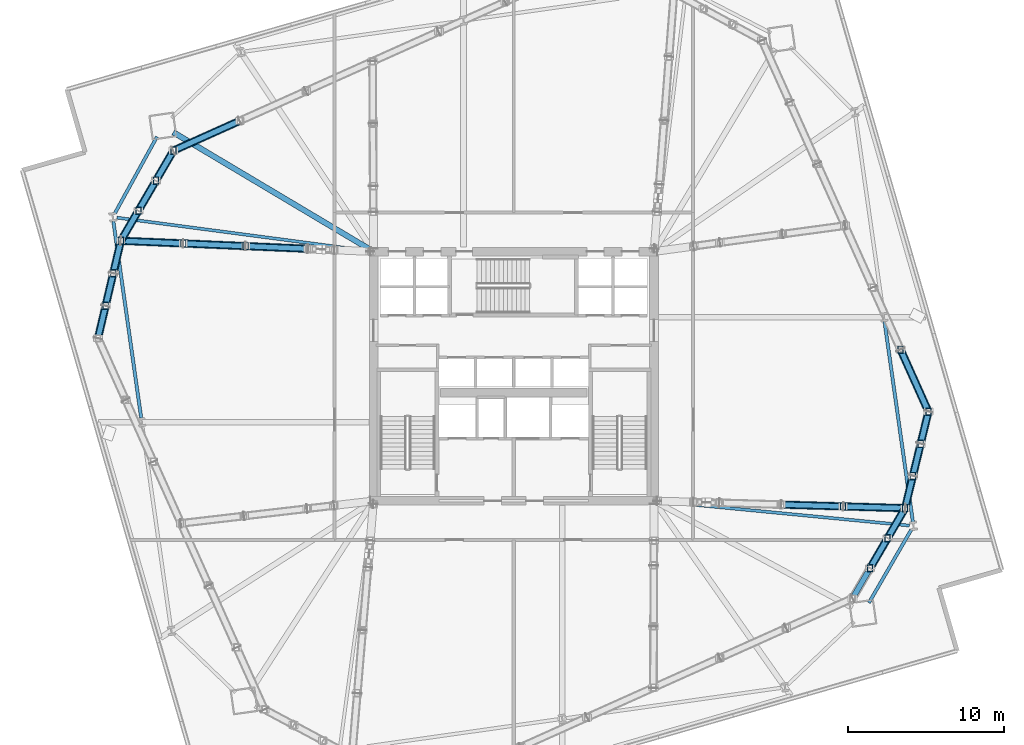
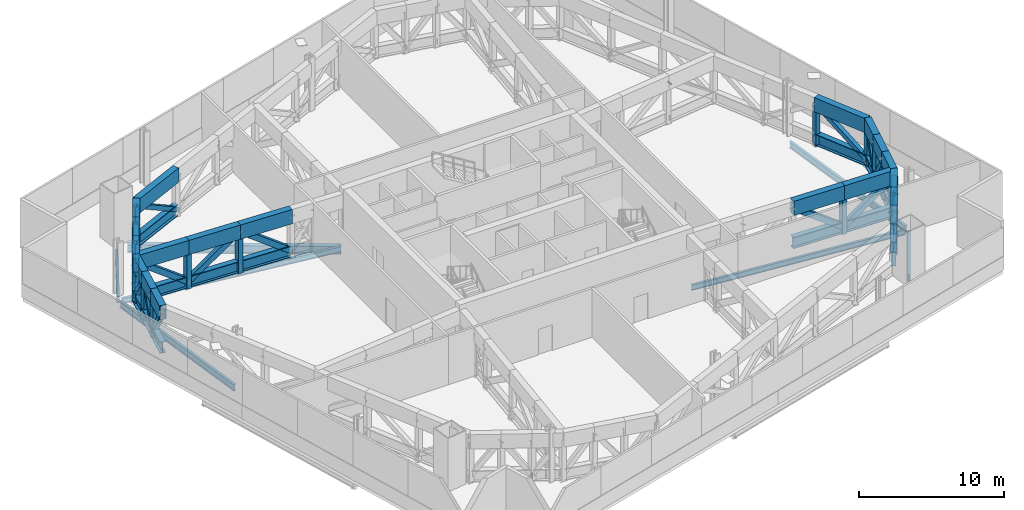
# One storey, part 4 of 19: 71 members, 7 beams.
"""IFC4 building model written with IfcOpenShell, lengths in metres."""

from ifc_helpers import new_model, si_unit, direction, frame, origin, origin_2d, place, context, subcontext, project, spatial, hollow_rectangle, i_section, extrude, material, material_profile, profile_set, type_object, element, save


model = new_model("IFC4")

# Units and contexts
model_context = context("Model", 3, precision=1e-05, world=origin(), true_north=direction((0.0, 1.0)))
body_context = subcontext(model_context, "Body", "Model", "MODEL_VIEW")
ifc_project = project(units=[si_unit("LENGTHUNIT", "METRE"), si_unit("AREAUNIT", "SQUARE_METRE"), si_unit("VOLUMEUNIT", "CUBIC_METRE"), si_unit("PLANEANGLEUNIT", "RADIAN"), si_unit("MASSUNIT", "GRAM", prefix="KILO")], contexts=[model_context])

# Site, building, storey
site_placement = place(None, origin())
site = spatial("IfcSite", under=ifc_project, at=site_placement, CompositionType="ELEMENT")
building_placement = place(site_placement, origin())
building = spatial("IfcBuilding", under=site, at=building_placement, Name="Haldenkirk Collegiate Tower", CompositionType="ELEMENT")
storey_placement = place(building_placement, frame((0.0, 0.0, 81.449951171875)))
storey = spatial("IfcBuildingStorey", under=building, at=storey_placement, Name="L19", CompositionType="ELEMENT", Elevation=81.449951171875)

# Beams
ifc_material_1 = material(Name="Steel ASTM A992 Grade 50", Category="steel")
ifc_material_profile_1 = material_profile(ifc_material_1, i_section(OverallWidth=0.35498046875, OverallDepth=0.696044921875, WebThickness=0.015380859375, FlangeThickness=0.02490234375, at=origin_2d()), Name="W27X146")
ifc_profile_set_1 = profile_set([ifc_material_profile_1], Name="Steel ASTM A992 Grade 50")
beam_type_1 = type_object("IfcBeamType", Name="BM-GIRDER-W27X146", PredefinedType="BEAM", material=ifc_profile_set_1)
beam_1_placement = place(storey_placement, frame((14.14990234375, 41.6552734375, -0.758056640625), z_axis=(0.859106056552, -0.511797600225, 0.0), x_axis=(0.511797600225, 0.859106056552, 0.0)))
element("IfcBeam", 1, at=beam_1_placement, inside=storey, type_object=beam_type_1, Name="L19 primary floor girder 04", PredefinedType="BEAM", context=body_context, shape_type="SweptSolid", body=[
    extrude(i_section(OverallWidth=0.35498046875, OverallDepth=0.696044921875, WebThickness=0.015380859375, FlangeThickness=0.02490234375, at=origin_2d()), origin(), (0.0, 0.0, 1.0), 14.677490234375),
])
ifc_material_profile_2 = material_profile(ifc_material_1, i_section(OverallWidth=0.19189453125, OverallDepth=0.462890625, WebThickness=0.010498046875, FlangeThickness=0.017578125, at=origin_2d()), Name="W18X60")
ifc_profile_set_2 = profile_set([ifc_material_profile_2], Name="Steel ASTM A992 Grade 50")
beam_type_2 = type_object("IfcBeamType", Name="BM-JOIST-W18X60", PredefinedType="JOIST", material=ifc_profile_set_2)
beam_2_placement = place(storey_placement, frame((61.384765625, 16.41845703125, -0.641357421875), z_axis=(-0.995373409832, 0.096082126327, 0.0), x_axis=(-0.096082126327, -0.995373409832, 0.0)))
element("IfcBeam", 2, at=beam_2_placement, inside=storey, type_object=beam_type_2, Name="L19 composite floor joist 08", PredefinedType="JOIST", context=body_context, shape_type="SweptSolid", body=[
    extrude(i_section(OverallWidth=0.19189453125, OverallDepth=0.462890625, WebThickness=0.010498046875, FlangeThickness=0.017578125, at=origin_2d()), origin(), (0.0, 0.0, 1.0), 16.180908203125),
])
beam_3_placement = place(storey_placement, frame((10.5283203125, 36.17822265625, -0.641357421875), z_axis=(0.991368569067, -0.131104386906, 0.0), x_axis=(0.131104386906, 0.991368569067, 0.0)))
element("IfcBeam", 3, at=beam_3_placement, inside=storey, type_object=beam_type_2, Name="L19 composite floor joist 14", PredefinedType="JOIST", context=body_context, shape_type="SweptSolid", body=[
    extrude(i_section(OverallWidth=0.19189453125, OverallDepth=0.462890625, WebThickness=0.010498046875, FlangeThickness=0.017578125, at=origin_2d()), origin(), (0.0, 0.0, 1.0), 16.335205078125),
])
ifc_material_profile_3 = material_profile(ifc_material_1, i_section(OverallWidth=0.2119140625, OverallDepth=0.5439453125, WebThickness=0.01318359375, FlangeThickness=0.021240234375, at=origin_2d()), Name="W21X83")
ifc_profile_set_3 = profile_set([ifc_material_profile_3], Name="Steel ASTM A992 Grade 50")
beam_type_3 = type_object("IfcBeamType", Name="BM-SPANDREL-W21X83", PredefinedType="SPANDREL", material=ifc_profile_set_3)
beam_4_placement = place(storey_placement, frame((58.7919921875, 11.462158203125, -0.681884765625), z_axis=(0.50120629055, 0.865327830543, 0.0), x_axis=(-0.865327830543, 0.50120629055, 0.0)))
element("IfcBeam", 4, at=beam_4_placement, inside=storey, type_object=beam_type_3, Name="L19 perimeter spandrel beam 05", PredefinedType="SPANDREL", context=body_context, shape_type="SweptSolid", body=[
    extrude(i_section(OverallWidth=0.2119140625, OverallDepth=0.5439453125, WebThickness=0.01318359375, FlangeThickness=0.021240234375, at=origin_2d()), origin(), (0.0, 0.0, 1.0), 5.43359375),
])
beam_5_placement = place(storey_placement, frame((61.611083984375, 16.65478515625, -0.681884765625), z_axis=(-0.140040904101, 0.990145719164, 0.0), x_axis=(-0.990145719164, -0.140040904101, 0.0)))
element("IfcBeam", 5, at=beam_5_placement, inside=storey, type_object=beam_type_3, Name="L19 perimeter spandrel beam 06", PredefinedType="SPANDREL", context=body_context, shape_type="SweptSolid", body=[
    extrude(i_section(OverallWidth=0.2119140625, OverallDepth=0.5439453125, WebThickness=0.01318359375, FlangeThickness=0.021240234375, at=origin_2d()), origin(), (0.0, 0.0, 1.0), 13.000244140625),
])
beam_6_placement = place(storey_placement, frame((13.10400390625, 41.37109375, -0.681884765625), z_axis=(-0.482003753736, -0.876169151126, 0.0), x_axis=(0.876169151126, -0.482003753736, 0.0)))
element("IfcBeam", 6, at=beam_6_placement, inside=storey, type_object=beam_type_3, Name="L19 perimeter spandrel beam 13", PredefinedType="SPANDREL", context=body_context, shape_type="SweptSolid", body=[
    extrude(i_section(OverallWidth=0.2119140625, OverallDepth=0.5439453125, WebThickness=0.01318359375, FlangeThickness=0.021240234375, at=origin_2d()), origin(), (0.0, 0.0, 1.0), 5.622802734375),
])
beam_7_placement = place(storey_placement, frame((10.30322265625, 35.951171875, -0.681884765625), z_axis=(0.140049989419, -0.990144434143, 0.0), x_axis=(0.990144434143, 0.140049989419, 0.0)))
element("IfcBeam", 7, at=beam_7_placement, inside=storey, type_object=beam_type_3, Name="L19 perimeter spandrel beam 14", PredefinedType="SPANDREL", context=body_context, shape_type="SweptSolid", body=[
    extrude(i_section(OverallWidth=0.2119140625, OverallDepth=0.5439453125, WebThickness=0.01318359375, FlangeThickness=0.021240234375, at=origin_2d()), origin(), (0.0, 0.0, 1.0), 12.76220703125),
])

# Members
ifc_material_2 = material(Name="Steel ASTM A572 Grade 50", Category="steel")
ifc_material_profile_4 = material_profile(ifc_material_2, hollow_rectangle(XDim=0.5, YDim=1.199951171875, WallThickness=0.050048828125, at=origin_2d()), Name="BOX1200X500X50")
ifc_profile_set_4 = profile_set([ifc_material_profile_4], Name="Steel ASTM A572 Grade 50")
member_type_1 = type_object("IfcMemberType", Name="MBR-CHORD-BOX1200", PredefinedType="CHORD", material=ifc_profile_set_4)
for number, where, z_axis, x_axis, name in (
    (8, (53.156005859375, 17.763671875, 3.489990234375), (0.999578922063, -0.029016866953, 0.0), (0.029016866953, 0.999578922063, 0.0), "Outrigger Truss L19 Radial 02 top chord 4"),
    (9, (57.134033203125, 17.648193359375, 3.489990234375), (0.999580699519, -0.028955572, 0.0), (0.028955572, 0.999580699519, 0.0), "Outrigger Truss L19 Radial 02 top chord 5"),
):
    element("IfcMember", number, at=place(storey_placement, frame(where, z_axis=z_axis, x_axis=x_axis)), inside=storey, type_object=member_type_1, Name=name, PredefinedType="CHORD", context=body_context, shape_type="SweptSolid", body=[
        extrude(hollow_rectangle(XDim=0.5, YDim=1.199951171875, WallThickness=0.050048828125, at=origin_2d()), origin(), (0.0, 0.0, 1.0), 3.979736328125),
    ])
for number, where, z_axis, x_axis, name in (
    (10, (22.796630859375, 34.180419921875, 3.489990234375), (-0.9990850168, 0.042768320129, 0.0), (-0.042768320129, -0.9990850168, 0.0), "Outrigger Truss L19 Radial 04 top chord 3"),
    (11, (18.79296875, 34.351806640625, 3.489990234375), (-0.999079802998, 0.042889943369, 0.0), (-0.042889943369, -0.999079802998, 0.0), "Outrigger Truss L19 Radial 04 top chord 4"),
    (12, (14.789306640625, 34.523681640625, 3.489990234375), (-0.999082411743, 0.042829131987, 0.0), (-0.042829131987, -0.999082411743, 0.0), "Outrigger Truss L19 Radial 04 top chord 5"),
):
    element("IfcMember", number, at=place(storey_placement, frame(where, z_axis=z_axis, x_axis=x_axis)), inside=storey, type_object=member_type_1, Name=name, PredefinedType="CHORD", context=body_context, shape_type="SweptSolid", body=[
        extrude(hollow_rectangle(XDim=0.5, YDim=1.199951171875, WallThickness=0.050048828125, at=origin_2d()), origin(), (0.0, 0.0, 1.0), 4.00732421875),
    ])
for number, where, z_axis, x_axis, name in (
    (13, (58.86279296875, 13.675048828125, 3.489990234375), (0.503633058286, 0.863917671194, 0.0), (-0.863917671194, 0.503633058286, 0.0), "Belt Truss L19-04 top chord 2"),
    (14, (59.9873046875, 15.60400390625, 3.489990234375), (0.503714659973, 0.86387009517, 0.0), (-0.86387009517, 0.503714659973, 0.0), "Belt Truss L19-04 top chord 3"),
):
    element("IfcMember", number, at=place(storey_placement, frame(where, z_axis=z_axis, x_axis=x_axis)), inside=storey, type_object=member_type_1, Name=name, PredefinedType="CHORD", context=body_context, shape_type="SweptSolid", body=[
        extrude(hollow_rectangle(XDim=0.5, YDim=1.199951171875, WallThickness=0.050048828125, at=origin_2d()), origin(), (0.0, 0.0, 1.0), 2.23291015625),
    ])
member_1_placement = place(storey_placement, frame((61.112060546875, 17.532958984375, 3.489990234375), z_axis=(0.234820298793, 0.972038799264, 0.0), x_axis=(-0.972038799264, 0.234820298793, 0.0)))
element("IfcMember", 15, at=member_1_placement, inside=storey, type_object=member_type_1, Name="Belt Truss L19-05 top chord 1", PredefinedType="CHORD", context=body_context, shape_type="SweptSolid", body=[
    extrude(hollow_rectangle(XDim=0.5, YDim=1.199951171875, WallThickness=0.050048828125, at=origin_2d()), origin(), (0.0, 0.0, 1.0), 2.1240234375),
])
for number, where, z_axis, x_axis, name in (
    (16, (61.61083984375, 19.59765625, 3.489990234375), (0.23479406631, 0.972045136002, 0.0), (-0.972045136002, 0.23479406631, 0.0), "Belt Truss L19-05 top chord 2"),
    (17, (62.109619140625, 21.66259765625, 3.489990234375), (0.234928895558, 0.972012558577, 0.0), (-0.972012558577, 0.234928895558, 0.0), "Belt Truss L19-05 top chord 3"),
):
    element("IfcMember", number, at=place(storey_placement, frame(where, z_axis=z_axis, x_axis=x_axis)), inside=storey, type_object=member_type_1, Name=name, PredefinedType="CHORD", context=body_context, shape_type="SweptSolid", body=[
        extrude(hollow_rectangle(XDim=0.5, YDim=1.199951171875, WallThickness=0.050048828125, at=origin_2d()), origin(), (0.0, 0.0, 1.0), 2.124267578125),
    ])
member_2_placement = place(storey_placement, frame((62.608642578125, 23.727294921875, 3.489990234375), z_axis=(-0.409112154166, 0.912484106883, 0.0), x_axis=(-0.912484106883, -0.409112154166, 0.0)))
element("IfcMember", 18, at=member_2_placement, inside=storey, type_object=member_type_1, Name="Belt Truss L19-06 top chord 1", PredefinedType="CHORD", context=body_context, shape_type="SweptSolid", body=[
    extrude(hollow_rectangle(XDim=0.5, YDim=1.199951171875, WallThickness=0.050048828125, at=origin_2d()), origin(), (0.0, 0.0, 1.0), 4.36181640625),
])
member_3_placement = place(storey_placement, frame((18.4189453125, 42.391845703125, 3.489990234375), z_axis=(-0.912471623482, -0.409139996016, 0.0), x_axis=(0.409139996016, -0.912471623482, 0.0)))
element("IfcMember", 19, at=member_3_placement, inside=storey, type_object=member_type_1, Name="Belt Truss L19-11 top chord 3", PredefinedType="CHORD", context=body_context, shape_type="SweptSolid", body=[
    extrude(hollow_rectangle(XDim=0.5, YDim=1.199951171875, WallThickness=0.050048828125, at=origin_2d()), origin(), (0.0, 0.0, 1.0), 4.668212890625),
])
for number, where, z_axis, x_axis, name in (
    (20, (14.159423828125, 40.48193359375, 3.489990234375), (-0.503633058286, -0.863917671194, 0.0), (0.863917671194, -0.503633058286, 0.0), "Belt Truss L19-12 top chord 1"),
    (21, (13.034912109375, 38.552978515625, 3.489990234375), (-0.503633058286, -0.863917671194, 0.0), (0.863917671194, -0.503633058286, 0.0), "Belt Truss L19-12 top chord 2"),
):
    element("IfcMember", number, at=place(storey_placement, frame(where, z_axis=z_axis, x_axis=x_axis)), inside=storey, type_object=member_type_1, Name=name, PredefinedType="CHORD", context=body_context, shape_type="SweptSolid", body=[
        extrude(hollow_rectangle(XDim=0.5, YDim=1.199951171875, WallThickness=0.050048828125, at=origin_2d()), origin(), (0.0, 0.0, 1.0), 2.23291015625),
    ])
member_4_placement = place(storey_placement, frame((11.910400390625, 36.6240234375, 3.489990234375), z_axis=(-0.503762240961, -0.86384234938, 0.0), x_axis=(0.86384234938, -0.503762240961, 0.0)))
element("IfcMember", 22, at=member_4_placement, inside=storey, type_object=member_type_1, Name="Belt Truss L19-12 top chord 3", PredefinedType="CHORD", context=body_context, shape_type="SweptSolid", body=[
    extrude(hollow_rectangle(XDim=0.5, YDim=1.199951171875, WallThickness=0.050048828125, at=origin_2d()), origin(), (0.0, 0.0, 1.0), 2.232666015625),
])
for number, where, z_axis, x_axis, name in (
    (23, (10.78564453125, 34.6953125, 3.489990234375), (-0.228328012259, -0.973584263851, 0.0), (0.973584263851, -0.228328012259, 0.0), "Belt Truss L19-13 top chord 1"),
    (24, (10.29638671875, 32.609130859375, 3.489990234375), (-0.228436004268, -0.97355893091, 0.0), (0.97355893091, -0.228436004268, 0.0), "Belt Truss L19-13 top chord 2"),
    (25, (9.806884765625, 30.52294921875, 3.489990234375), (-0.228328012259, -0.973584263851, 0.0), (0.973584263851, -0.228328012259, 0.0), "Belt Truss L19-13 top chord 3"),
):
    element("IfcMember", number, at=place(storey_placement, frame(where, z_axis=z_axis, x_axis=x_axis)), inside=storey, type_object=member_type_1, Name=name, PredefinedType="CHORD", context=body_context, shape_type="SweptSolid", body=[
        extrude(hollow_rectangle(XDim=0.5, YDim=1.199951171875, WallThickness=0.050048828125, at=origin_2d()), origin(), (0.0, 0.0, 1.0), 2.142822265625),
    ])
ifc_material_3 = material(Name="Steel ASTM A913 Grade 65", Category="steel")
ifc_material_profile_5 = material_profile(ifc_material_3, i_section(OverallWidth=0.423095703125, OverallDepth=0.947998046875, WebThickness=0.02392578125, FlangeThickness=0.042724609375, at=origin_2d()), Name="W36X302")
ifc_profile_set_5 = profile_set([ifc_material_profile_5], Name="Steel ASTM A913 Grade 65")
member_type_2 = type_object("IfcMemberType", Name="MBR-CHORD-W36X302", PredefinedType="CHORD", material=ifc_profile_set_5)
for number, where, z_axis, x_axis, name in (
    (26, (53.156005859375, 17.763671875, 0.550048828125), (0.999578922063, -0.029016866953, 0.0), (0.029016866953, 0.999578922063, 0.0), "Outrigger Truss L19 Radial 02 bottom chord 4"),
    (27, (57.134033203125, 17.648193359375, 0.550048828125), (0.999580699519, -0.028955572, 0.0), (0.028955572, 0.999580699519, 0.0), "Outrigger Truss L19 Radial 02 bottom chord 5"),
):
    element("IfcMember", number, at=place(storey_placement, frame(where, z_axis=z_axis, x_axis=x_axis)), inside=storey, type_object=member_type_2, Name=name, PredefinedType="CHORD", context=body_context, shape_type="SweptSolid", body=[
        extrude(i_section(OverallWidth=0.423095703125, OverallDepth=0.947998046875, WebThickness=0.02392578125, FlangeThickness=0.042724609375, at=origin_2d()), origin(), (0.0, 0.0, 1.0), 3.979736328125),
    ])
for number, where, z_axis, x_axis, name in (
    (28, (22.796630859375, 34.180419921875, 0.550048828125), (-0.9990850168, 0.042768320129, 0.0), (-0.042768320129, -0.9990850168, 0.0), "Outrigger Truss L19 Radial 04 bottom chord 3"),
    (29, (18.79296875, 34.351806640625, 0.550048828125), (-0.999079802998, 0.042889943369, 0.0), (-0.042889943369, -0.999079802998, 0.0), "Outrigger Truss L19 Radial 04 bottom chord 4"),
    (30, (14.789306640625, 34.523681640625, 0.550048828125), (-0.999082411743, 0.042829131987, 0.0), (-0.042829131987, -0.999082411743, 0.0), "Outrigger Truss L19 Radial 04 bottom chord 5"),
):
    element("IfcMember", number, at=place(storey_placement, frame(where, z_axis=z_axis, x_axis=x_axis)), inside=storey, type_object=member_type_2, Name=name, PredefinedType="CHORD", context=body_context, shape_type="SweptSolid", body=[
        extrude(i_section(OverallWidth=0.423095703125, OverallDepth=0.947998046875, WebThickness=0.02392578125, FlangeThickness=0.042724609375, at=origin_2d()), origin(), (0.0, 0.0, 1.0), 4.00732421875),
    ])
for number, where, z_axis, x_axis, name in (
    (31, (58.86279296875, 13.675048828125, 0.550048828125), (0.503633058286, 0.863917671194, 0.0), (-0.863917671194, 0.503633058286, 0.0), "Belt Truss L19-04 bottom chord 2"),
    (32, (59.9873046875, 15.60400390625, 0.550048828125), (0.503714659973, 0.86387009517, 0.0), (-0.86387009517, 0.503714659973, 0.0), "Belt Truss L19-04 bottom chord 3"),
):
    element("IfcMember", number, at=place(storey_placement, frame(where, z_axis=z_axis, x_axis=x_axis)), inside=storey, type_object=member_type_2, Name=name, PredefinedType="CHORD", context=body_context, shape_type="SweptSolid", body=[
        extrude(i_section(OverallWidth=0.423095703125, OverallDepth=0.947998046875, WebThickness=0.02392578125, FlangeThickness=0.042724609375, at=origin_2d()), origin(), (0.0, 0.0, 1.0), 2.23291015625),
    ])
member_5_placement = place(storey_placement, frame((61.112060546875, 17.532958984375, 0.550048828125), z_axis=(0.234820298793, 0.972038799264, 0.0), x_axis=(-0.972038799264, 0.234820298793, 0.0)))
element("IfcMember", 33, at=member_5_placement, inside=storey, type_object=member_type_2, Name="Belt Truss L19-05 bottom chord 1", PredefinedType="CHORD", context=body_context, shape_type="SweptSolid", body=[
    extrude(i_section(OverallWidth=0.423095703125, OverallDepth=0.947998046875, WebThickness=0.02392578125, FlangeThickness=0.042724609375, at=origin_2d()), origin(), (0.0, 0.0, 1.0), 2.1240234375),
])
for number, where, z_axis, x_axis, name in (
    (34, (61.61083984375, 19.59765625, 0.550048828125), (0.23479406631, 0.972045136002, 0.0), (-0.972045136002, 0.23479406631, 0.0), "Belt Truss L19-05 bottom chord 2"),
    (35, (62.109619140625, 21.66259765625, 0.550048828125), (0.234928895558, 0.972012558577, 0.0), (-0.972012558577, 0.234928895558, 0.0), "Belt Truss L19-05 bottom chord 3"),
):
    element("IfcMember", number, at=place(storey_placement, frame(where, z_axis=z_axis, x_axis=x_axis)), inside=storey, type_object=member_type_2, Name=name, PredefinedType="CHORD", context=body_context, shape_type="SweptSolid", body=[
        extrude(i_section(OverallWidth=0.423095703125, OverallDepth=0.947998046875, WebThickness=0.02392578125, FlangeThickness=0.042724609375, at=origin_2d()), origin(), (0.0, 0.0, 1.0), 2.124267578125),
    ])
member_6_placement = place(storey_placement, frame((62.608642578125, 23.727294921875, 0.550048828125), z_axis=(-0.409112154166, 0.912484106883, 0.0), x_axis=(-0.912484106883, -0.409112154166, 0.0)))
element("IfcMember", 36, at=member_6_placement, inside=storey, type_object=member_type_2, Name="Belt Truss L19-06 bottom chord 1", PredefinedType="CHORD", context=body_context, shape_type="SweptSolid", body=[
    extrude(i_section(OverallWidth=0.423095703125, OverallDepth=0.947998046875, WebThickness=0.02392578125, FlangeThickness=0.042724609375, at=origin_2d()), origin(), (0.0, 0.0, 1.0), 4.36181640625),
])
member_7_placement = place(storey_placement, frame((18.4189453125, 42.391845703125, 0.550048828125), z_axis=(-0.912471623482, -0.409139996016, 0.0), x_axis=(0.409139996016, -0.912471623482, 0.0)))
element("IfcMember", 37, at=member_7_placement, inside=storey, type_object=member_type_2, Name="Belt Truss L19-11 bottom chord 3", PredefinedType="CHORD", context=body_context, shape_type="SweptSolid", body=[
    extrude(i_section(OverallWidth=0.423095703125, OverallDepth=0.947998046875, WebThickness=0.02392578125, FlangeThickness=0.042724609375, at=origin_2d()), origin(), (0.0, 0.0, 1.0), 4.668212890625),
])
for number, where, z_axis, x_axis, name in (
    (38, (14.159423828125, 40.48193359375, 0.550048828125), (-0.503633058286, -0.863917671194, 0.0), (0.863917671194, -0.503633058286, 0.0), "Belt Truss L19-12 bottom chord 1"),
    (39, (13.034912109375, 38.552978515625, 0.550048828125), (-0.503633058286, -0.863917671194, 0.0), (0.863917671194, -0.503633058286, 0.0), "Belt Truss L19-12 bottom chord 2"),
):
    element("IfcMember", number, at=place(storey_placement, frame(where, z_axis=z_axis, x_axis=x_axis)), inside=storey, type_object=member_type_2, Name=name, PredefinedType="CHORD", context=body_context, shape_type="SweptSolid", body=[
        extrude(i_section(OverallWidth=0.423095703125, OverallDepth=0.947998046875, WebThickness=0.02392578125, FlangeThickness=0.042724609375, at=origin_2d()), origin(), (0.0, 0.0, 1.0), 2.23291015625),
    ])
member_8_placement = place(storey_placement, frame((11.910400390625, 36.6240234375, 0.550048828125), z_axis=(-0.503762240961, -0.86384234938, 0.0), x_axis=(0.86384234938, -0.503762240961, 0.0)))
element("IfcMember", 40, at=member_8_placement, inside=storey, type_object=member_type_2, Name="Belt Truss L19-12 bottom chord 3", PredefinedType="CHORD", context=body_context, shape_type="SweptSolid", body=[
    extrude(i_section(OverallWidth=0.423095703125, OverallDepth=0.947998046875, WebThickness=0.02392578125, FlangeThickness=0.042724609375, at=origin_2d()), origin(), (0.0, 0.0, 1.0), 2.232666015625),
])
for number, where, z_axis, x_axis, name in (
    (41, (10.78564453125, 34.6953125, 0.550048828125), (-0.228328012259, -0.973584263851, 0.0), (0.973584263851, -0.228328012259, 0.0), "Belt Truss L19-13 bottom chord 1"),
    (42, (10.29638671875, 32.609130859375, 0.550048828125), (-0.228436004268, -0.97355893091, 0.0), (0.97355893091, -0.228436004268, 0.0), "Belt Truss L19-13 bottom chord 2"),
    (43, (9.806884765625, 30.52294921875, 0.550048828125), (-0.228328012259, -0.973584263851, 0.0), (0.973584263851, -0.228328012259, 0.0), "Belt Truss L19-13 bottom chord 3"),
):
    element("IfcMember", number, at=place(storey_placement, frame(where, z_axis=z_axis, x_axis=x_axis)), inside=storey, type_object=member_type_2, Name=name, PredefinedType="CHORD", context=body_context, shape_type="SweptSolid", body=[
        extrude(i_section(OverallWidth=0.423095703125, OverallDepth=0.947998046875, WebThickness=0.02392578125, FlangeThickness=0.042724609375, at=origin_2d()), origin(), (0.0, 0.0, 1.0), 2.142822265625),
    ])
ifc_material_profile_6 = material_profile(ifc_material_2, hollow_rectangle(XDim=0.35009765625, YDim=0.35009765625, WallThickness=0.01611328125, at=origin_2d()), Name="HSS350X350X16")
ifc_profile_set_6 = profile_set([ifc_material_profile_6], Name="Steel ASTM A572 Grade 50")
member_type_3 = type_object("IfcMemberType", Name="MBR-TRUSSDIAG-HSS350X350X16", PredefinedType="BRACE", material=ifc_profile_set_6)
for number, where, z_axis, x_axis, name in (
    (44, (57.73828125, 11.74609375, 0.550048828125), (0.304605380284, 0.522511313423, 0.796365173552), (-0.863917671194, 0.503633058286, 0.0), "Belt Truss L19-04 web diagonal 1"),
    (45, (58.86279296875, 13.675048828125, 3.489990234375), (0.304605380284, 0.522511313423, -0.796365173552), (-0.863917671194, 0.503633058286, 0.0), "Belt Truss L19-04 web diagonal 2"),
):
    element("IfcMember", number, at=place(storey_placement, frame(where, z_axis=z_axis, x_axis=x_axis)), inside=storey, type_object=member_type_3, Name=name, PredefinedType="BRACE", context=body_context, shape_type="SweptSolid", body=[
        extrude(hollow_rectangle(XDim=0.35009765625, YDim=0.35009765625, WallThickness=0.01611328125, at=origin_2d()), origin(), (0.0, 0.0, 1.0), 3.691650390625),
    ])
member_9_placement = place(storey_placement, frame((59.9873046875, 15.60400390625, 0.550048828125), z_axis=(0.304665374724, 0.522500786997, 0.796349130113), x_axis=(-0.86387009517, 0.503714659973, 0.0)))
element("IfcMember", 46, at=member_9_placement, inside=storey, type_object=member_type_3, Name="Belt Truss L19-04 web diagonal 3", PredefinedType="BRACE", context=body_context, shape_type="SweptSolid", body=[
    extrude(hollow_rectangle(XDim=0.35009765625, YDim=0.35009765625, WallThickness=0.01611328125, at=origin_2d()), origin(), (0.0, 0.0, 1.0), 3.69189453125),
])
member_10_placement = place(storey_placement, frame((61.112060546875, 17.532958984375, 0.550048828125), z_axis=(0.137519033027, 0.569260138185, 0.810574740927), x_axis=(-0.972038799264, 0.234820298793, 0.0)))
element("IfcMember", 47, at=member_10_placement, inside=storey, type_object=member_type_3, Name="Belt Truss L19-05 web diagonal 1", PredefinedType="BRACE", context=body_context, shape_type="SweptSolid", body=[
    extrude(hollow_rectangle(XDim=0.35009765625, YDim=0.35009765625, WallThickness=0.01611328125, at=origin_2d()), origin(), (0.0, 0.0, 1.0), 3.626953125),
])
member_11_placement = place(storey_placement, frame((61.61083984375, 19.59765625, 3.489990234375), z_axis=(0.137513763535, 0.569305634842, -0.810543681103), x_axis=(-0.972045136002, 0.23479406631, 0.0)))
element("IfcMember", 48, at=member_11_placement, inside=storey, type_object=member_type_3, Name="Belt Truss L19-05 web diagonal 2", PredefinedType="BRACE", context=body_context, shape_type="SweptSolid", body=[
    extrude(hollow_rectangle(XDim=0.35009765625, YDim=0.35009765625, WallThickness=0.01611328125, at=origin_2d()), origin(), (0.0, 0.0, 1.0), 3.627197265625),
])
member_12_placement = place(storey_placement, frame((62.109619140625, 21.66259765625, 0.550048828125), z_axis=(0.137585071437, 0.569254867485, 0.810567235929), x_axis=(-0.972012558577, 0.234928895558, 0.0)))
element("IfcMember", 49, at=member_12_placement, inside=storey, type_object=member_type_3, Name="Belt Truss L19-05 web diagonal 3", PredefinedType="BRACE", context=body_context, shape_type="SweptSolid", body=[
    extrude(hollow_rectangle(XDim=0.35009765625, YDim=0.35009765625, WallThickness=0.01611328125, at=origin_2d()), origin(), (0.0, 0.0, 1.0), 3.626953125),
])
member_13_placement = place(storey_placement, frame((62.608642578125, 23.727294921875, 0.550048828125), z_axis=(-0.339243654435, 0.756649343904, 0.558923530812), x_axis=(-0.912484106883, -0.409112154166, 0.0)))
element("IfcMember", 50, at=member_13_placement, inside=storey, type_object=member_type_3, Name="Belt Truss L19-06 web diagonal 1", PredefinedType="BRACE", context=body_context, shape_type="SweptSolid", body=[
    extrude(hollow_rectangle(XDim=0.35009765625, YDim=0.35009765625, WallThickness=0.01611328125, at=origin_2d()), origin(), (0.0, 0.0, 1.0), 5.260009765625),
])
member_14_placement = place(storey_placement, frame((18.4189453125, 42.391845703125, 0.550048828125), z_axis=(-0.772106876887, -0.346202332658, 0.532911733334), x_axis=(0.409139996016, -0.912471623482, 0.0)))
element("IfcMember", 51, at=member_14_placement, inside=storey, type_object=member_type_3, Name="Belt Truss L19-11 web diagonal 3", PredefinedType="BRACE", context=body_context, shape_type="SweptSolid", body=[
    extrude(hollow_rectangle(XDim=0.35009765625, YDim=0.35009765625, WallThickness=0.01611328125, at=origin_2d()), origin(), (0.0, 0.0, 1.0), 5.516845703125),
])
for number, where, z_axis, x_axis, name in (
    (52, (14.159423828125, 40.48193359375, 0.550048828125), (-0.304605380284, -0.522511313423, 0.796365173552), (0.863917671194, -0.503633058286, 0.0), "Belt Truss L19-12 web diagonal 1"),
    (53, (13.034912109375, 38.552978515625, 3.489990234375), (-0.304605380284, -0.522511313423, -0.796365173552), (0.863917671194, -0.503633058286, 0.0), "Belt Truss L19-12 web diagonal 2"),
    (54, (11.910400390625, 36.6240234375, 0.550048828125), (-0.304675901854, -0.522452707759, 0.796376646434), (0.86384234938, -0.503762240961, 0.0), "Belt Truss L19-12 web diagonal 3"),
):
    element("IfcMember", number, at=place(storey_placement, frame(where, z_axis=z_axis, x_axis=x_axis)), inside=storey, type_object=member_type_3, Name=name, PredefinedType="BRACE", context=body_context, shape_type="SweptSolid", body=[
        extrude(hollow_rectangle(XDim=0.35009765625, YDim=0.35009765625, WallThickness=0.01611328125, at=origin_2d()), origin(), (0.0, 0.0, 1.0), 3.691650390625),
    ])
for number, where, z_axis, x_axis, name in (
    (55, (10.78564453125, 34.6953125, 0.550048828125), (-0.134486708541, -0.573447567108, 0.808128215696), (0.973584263851, -0.228328012259, 0.0), "Belt Truss L19-13 web diagonal 1"),
    (56, (10.29638671875, 32.609130859375, 3.489990234375), (-0.134552603004, -0.573442390358, -0.808120920386), (0.97355893091, -0.228436004268, 0.0), "Belt Truss L19-13 web diagonal 2"),
    (57, (9.806884765625, 30.52294921875, 0.550048828125), (-0.134486708541, -0.573447567108, 0.808128215696), (0.973584263851, -0.228328012259, 0.0), "Belt Truss L19-13 web diagonal 3"),
):
    element("IfcMember", number, at=place(storey_placement, frame(where, z_axis=z_axis, x_axis=x_axis)), inside=storey, type_object=member_type_3, Name=name, PredefinedType="BRACE", context=body_context, shape_type="SweptSolid", body=[
        extrude(hollow_rectangle(XDim=0.35009765625, YDim=0.35009765625, WallThickness=0.01611328125, at=origin_2d()), origin(), (0.0, 0.0, 1.0), 3.637939453125),
    ])
ifc_material_profile_7 = material_profile(ifc_material_2, hollow_rectangle(XDim=0.35009765625, YDim=0.449951171875, WallThickness=0.02197265625, at=origin_2d()), Name="HSS450X350X22")
ifc_profile_set_7 = profile_set([ifc_material_profile_7], Name="Steel ASTM A572 Grade 50")
member_type_4 = type_object("IfcMemberType", Name="MBR-TRUSSDIAG-HSS450X350X22", PredefinedType="BRACE", material=ifc_profile_set_7)
for number, where, z_axis, x_axis, name in (
    (58, (53.156005859375, 17.763671875, 3.489990234375), (0.803989902356, -0.023339095607, -0.59418475538), (0.029016866953, 0.999578922063, 0.0), "Outrigger Truss L19 Radial 02 web diagonal 4"),
    (59, (57.134033203125, 17.648193359375, 0.550048828125), (0.803990827264, -0.023289779702, 0.59418543893), (0.028955572, 0.999580699519, 0.0), "Outrigger Truss L19 Radial 02 web diagonal 5"),
):
    element("IfcMember", number, at=place(storey_placement, frame(where, z_axis=z_axis, x_axis=x_axis)), inside=storey, type_object=member_type_4, Name=name, PredefinedType="BRACE", context=body_context, shape_type="SweptSolid", body=[
        extrude(hollow_rectangle(XDim=0.35009765625, YDim=0.449951171875, WallThickness=0.02197265625, at=origin_2d()), origin(), (0.0, 0.0, 1.0), 4.94775390625),
    ])
for number, where, z_axis, x_axis, name in (
    (60, (22.796630859375, 34.180419921875, 0.550048828125), (-0.805548872254, 0.034483523893, 0.591525063704), (-0.042768320129, -0.9990850168, 0.0), "Outrigger Truss L19 Radial 04 web diagonal 3"),
    (61, (18.79296875, 34.351806640625, 3.489990234375), (-0.805546139352, 0.034581650229, -0.591523056898), (-0.042889943369, -0.999079802998, 0.0), "Outrigger Truss L19 Radial 04 web diagonal 4"),
    (62, (14.789306640625, 34.523681640625, 0.550048828125), (-0.805547506771, 0.034532587186, 0.591524061012), (-0.042829131987, -0.999082411743, 0.0), "Outrigger Truss L19 Radial 04 web diagonal 5"),
):
    element("IfcMember", number, at=place(storey_placement, frame(where, z_axis=z_axis, x_axis=x_axis)), inside=storey, type_object=member_type_4, Name=name, PredefinedType="BRACE", context=body_context, shape_type="SweptSolid", body=[
        extrude(hollow_rectangle(XDim=0.35009765625, YDim=0.449951171875, WallThickness=0.02197265625, at=origin_2d()), origin(), (0.0, 0.0, 1.0), 4.97021484375),
    ])
ifc_material_profile_8 = material_profile(ifc_material_2, hollow_rectangle(XDim=0.35009765625, YDim=0.449951171875, WallThickness=0.02197265625, at=origin_2d()), Name="HSS450X350X22")
ifc_profile_set_8 = profile_set([ifc_material_profile_8], Name="Steel ASTM A572 Grade 50")
member_type_5 = type_object("IfcMemberType", Name="MBR-TRUSSPOST-HSS450X350X22", PredefinedType="POST", material=ifc_profile_set_8)
for number, where, z_axis, x_axis, name in (
    (63, (57.134033203125, 17.648193359375, 0.0), (0.0, 0.0, 1.0), (1.0, 0.0, 0.0), "Outrigger Truss L19 Radial 02 vertical post 5"),
    (64, (61.112060546875, 17.532958984375, 0.0), (0.0, 0.0, 1.0), (1.0, 0.0, 0.0), "Outrigger Truss L19 Radial 02 vertical post 6"),
    (65, (18.79296875, 34.351806640625, 0.0), (0.0, 0.0, 1.0), (1.0, 0.0, 0.0), "Outrigger Truss L19 Radial 04 vertical post 4"),
    (66, (14.789306640625, 34.523681640625, 0.0), (0.0, 0.0, 1.0), (1.0, 0.0, 0.0), "Outrigger Truss L19 Radial 04 vertical post 5"),
    (67, (10.78564453125, 34.6953125, 0.0), (0.0, 0.0, 1.0), (1.0, 0.0, 0.0), "Outrigger Truss L19 Radial 04 vertical post 6"),
    (68, (58.86279296875, 13.675048828125, 0.0), (0.0, 0.0, 1.0), (1.0, 0.0, 0.0), "Belt Truss L19-04 vertical post 2"),
    (69, (59.9873046875, 15.60400390625, 0.0), (0.0, 0.0, 1.0), (1.0, 0.0, 0.0), "Belt Truss L19-04 vertical post 3"),
    (70, (61.61083984375, 19.59765625, 0.0), (0.0, 0.0, 1.0), (1.0, 0.0, 0.0), "Belt Truss L19-05 vertical post 2"),
    (71, (62.109619140625, 21.66259765625, 0.0), (0.0, 0.0, 1.0), (1.0, 0.0, 0.0), "Belt Truss L19-05 vertical post 3"),
    (72, (62.608642578125, 23.727294921875, 0.0), (0.0, 0.0, 1.0), (1.0, 0.0, 0.0), "Belt Truss L19-05 vertical post 4"),
    (73, (60.82421875, 27.707275390625, 0.0), (0.0, 0.0, 1.0), (1.0, 0.0, 0.0), "Belt Truss L19-06 vertical post 2"),
    (74, (14.159423828125, 40.48193359375, 0.0), (0.0, 0.0, 1.0), (1.0, 0.0, 0.0), "Belt Truss L19-11 vertical post 4"),
    (75, (13.034912109375, 38.552978515625, 0.0), (0.0, 0.0, 1.0), (1.0, 0.0, 0.0), "Belt Truss L19-12 vertical post 2"),
    (76, (11.910400390625, 36.6240234375, 0.0), (0.0, 0.0, 1.0), (1.0, 0.0, 0.0), "Belt Truss L19-12 vertical post 3"),
    (77, (10.29638671875, 32.609130859375, 0.0), (0.0, 0.0, 1.0), (1.0, 0.0, 0.0), "Belt Truss L19-13 vertical post 2"),
    (78, (9.806884765625, 30.52294921875, 0.0), (0.0, 0.0, 1.0), (1.0, 0.0, 0.0), "Belt Truss L19-13 vertical post 3"),
):
    element("IfcMember", number, at=place(storey_placement, frame(where, z_axis=z_axis, x_axis=x_axis)), inside=storey, type_object=member_type_5, Name=name, PredefinedType="POST", context=body_context, shape_type="SweptSolid", body=[
        extrude(hollow_rectangle(XDim=0.35009765625, YDim=0.449951171875, WallThickness=0.02197265625, at=origin_2d()), origin(), (0.0, 0.0, 1.0), 3.489990234375),
    ])

save(model, "model.ifc")
